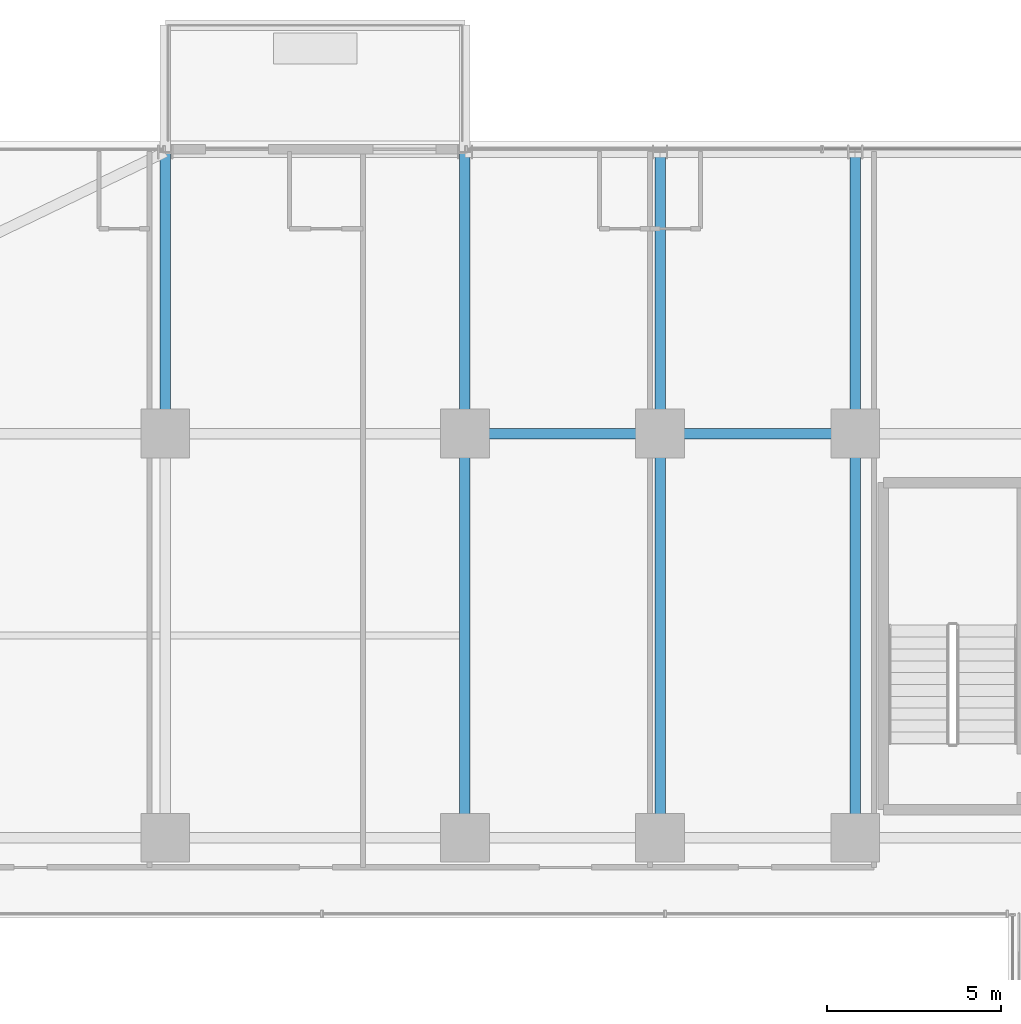
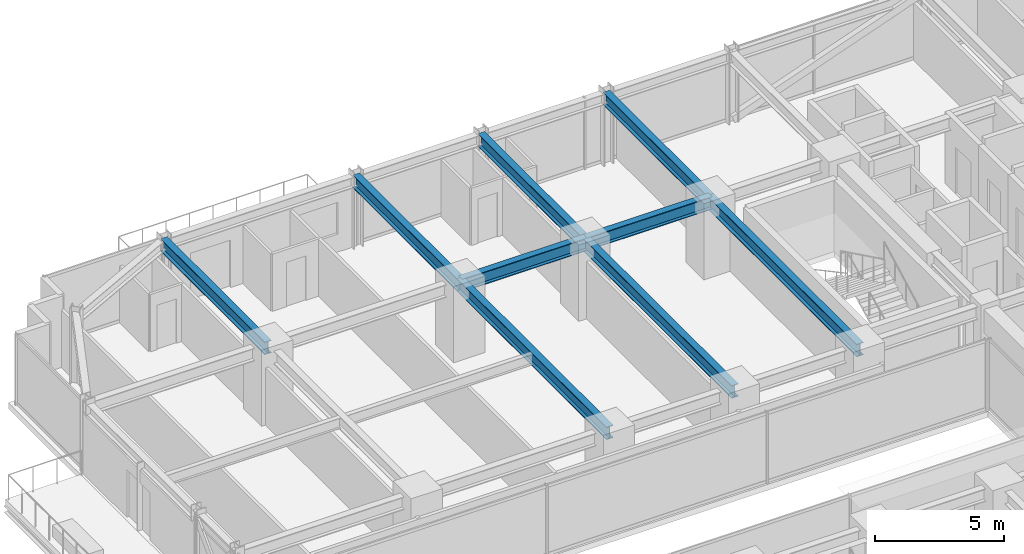
# One storey, part 27 of 42: 9 beams.
"""IFC4 building model written with IfcOpenShell, lengths in metres."""

from ifc_helpers import new_model, si_unit, direction, frame, origin, origin_2d, place, context, subcontext, project, spatial, i_section, extrude, source, transform, mapped, material, material_profile, profile_set, type_object, element, save


model = new_model("IFC4")

# Units and contexts
model_context = context("Model", 3, precision=1e-05, world=origin(), true_north=direction((0.0, 1.0)))
body_context = subcontext(model_context, "Body", "Model", "MODEL_VIEW")
ifc_project = project(units=[si_unit("LENGTHUNIT", "METRE"), si_unit("AREAUNIT", "SQUARE_METRE"), si_unit("VOLUMEUNIT", "CUBIC_METRE"), si_unit("PLANEANGLEUNIT", "RADIAN"), si_unit("MASSUNIT", "GRAM", prefix="KILO")], contexts=[model_context])

# Site, building, storey
site_placement = place(None, origin())
site = spatial("IfcSite", under=ifc_project, at=site_placement, CompositionType="ELEMENT")
building_placement = place(site_placement, origin())
building = spatial("IfcBuilding", under=site, at=building_placement, Name="Nahalor Promenade Grand Hotel", CompositionType="ELEMENT")
storey_placement = place(building_placement, frame((0.0, 0.0, 61.60009765625)))
storey = spatial("IfcBuildingStorey", under=building, at=storey_placement, Name="L14", CompositionType="ELEMENT", Elevation=61.60009765625)

# Beams
ifc_material = material(Name="Steel S355JR", Category="steel")
ifc_material_profile = material_profile(ifc_material, i_section(OverallWidth=0.3, OverallDepth=0.6, WebThickness=0.0155, FlangeThickness=0.03, at=origin_2d()), Name="HEB 600")
ifc_profile_set = profile_set([ifc_material_profile], Name="Steel S355JR")
beam_type = type_object("IfcBeamType", Name="Beam-Girder-HEB600", PredefinedType="BEAM", material=ifc_profile_set)
shared_shape_1 = source(origin(), body_context, "Body", "SweptSolid", [
    extrude(i_section(OverallWidth=0.3, OverallDepth=0.6, WebThickness=0.0155, FlangeThickness=0.03, at=origin_2d()), origin(), (0.0, 0.0, 1.0), 5.599853515625),
])
beam_1_placement = place(storey_placement, frame((-8.39990234375, 17.0, 3.06982421875), z_axis=(1.0, 0.0, 0.0), x_axis=(0.0, 1.0, 0.0)))
element("IfcBeam", 1, at=beam_1_placement, inside=storey, type_object=beam_type, Name="BM-L14-GX-3-2", PredefinedType="BEAM", context=body_context, shape_type="MappedRepresentation", body=[
    mapped(shared_shape_1, transform((0.0, 0.0, 0.0), scale=1.0)),
])
shared_shape_2 = source(origin(), body_context, "Body", "SweptSolid", [
    extrude(i_section(OverallWidth=0.3, OverallDepth=0.6, WebThickness=0.0155, FlangeThickness=0.03, at=origin_2d()), origin(), (0.0, 0.0, 1.0), 5.60009765625),
])
beam_2_placement = place(storey_placement, frame((-2.800048828125, 17.0, 3.06982421875), z_axis=(1.0, 0.0, 0.0), x_axis=(0.0, 1.0, 0.0)))
element("IfcBeam", 2, at=beam_2_placement, inside=storey, type_object=beam_type, Name="BM-L14-GX-3-3", PredefinedType="BEAM", context=body_context, shape_type="MappedRepresentation", body=[
    mapped(shared_shape_2, transform((0.0, 0.0, 0.0), scale=1.0)),
])
shared_shape_3 = source(origin(), body_context, "Body", "SweptSolid", [
    extrude(i_section(OverallWidth=0.3, OverallDepth=0.6, WebThickness=0.0155, FlangeThickness=0.03, at=origin_2d()), origin(), (0.0, 0.0, 1.0), 11.60009765625),
])
for number, where, z_axis, x_axis, name in (
    (3, (-8.39990234375, 5.39990234375, 3.06982421875), (0.0, 1.0, 0.0), (-1.0, 0.0, 0.0), "BM-L14-GY-1-3"),
    (4, (-2.800048828125, 5.39990234375, 3.06982421875), (0.0, 1.0, 0.0), (-1.0, 0.0, 0.0), "BM-L14-GY-2-3"),
    (5, (2.800048828125, 5.39990234375, 3.06982421875), (0.0, 1.0, 0.0), (-1.0, 0.0, 0.0), "BM-L14-GY-3-3"),
):
    element("IfcBeam", number, at=place(storey_placement, frame(where, z_axis=z_axis, x_axis=x_axis)), inside=storey, type_object=beam_type, Name=name, PredefinedType="BEAM", context=body_context, shape_type="MappedRepresentation", body=[
        mapped(shared_shape_3, transform((0.0, 0.0, 0.0), scale=1.0)),
    ])
shared_shape_4 = source(origin(), body_context, "Body", "SweptSolid", [
    extrude(i_section(OverallWidth=0.3, OverallDepth=0.6, WebThickness=0.0155, FlangeThickness=0.03, at=origin_2d()), origin(), (0.0, 0.0, 1.0), 8.080078125),
])
for number, where, z_axis, x_axis, name in (
    (6, (-17.0, 17.0, 3.06982421875), (0.0, 1.0, 0.0), (-1.0, 0.0, 0.0), "BM-L14-GY-0-4"),
    (7, (-8.39990234375, 17.0, 3.06982421875), (0.0, 1.0, 0.0), (-1.0, 0.0, 0.0), "BM-L14-GY-1-4"),
    (8, (-2.800048828125, 17.0, 3.06982421875), (0.0, 1.0, 0.0), (-1.0, 0.0, 0.0), "BM-L14-GY-2-4"),
    (9, (2.800048828125, 17.0, 3.06982421875), (0.0, 1.0, 0.0), (-1.0, 0.0, 0.0), "BM-L14-GY-3-4"),
):
    element("IfcBeam", number, at=place(storey_placement, frame(where, z_axis=z_axis, x_axis=x_axis)), inside=storey, type_object=beam_type, Name=name, PredefinedType="BEAM", context=body_context, shape_type="MappedRepresentation", body=[
        mapped(shared_shape_4, transform((0.0, 0.0, 0.0), scale=1.0)),
    ])

save(model, "model.ifc")
